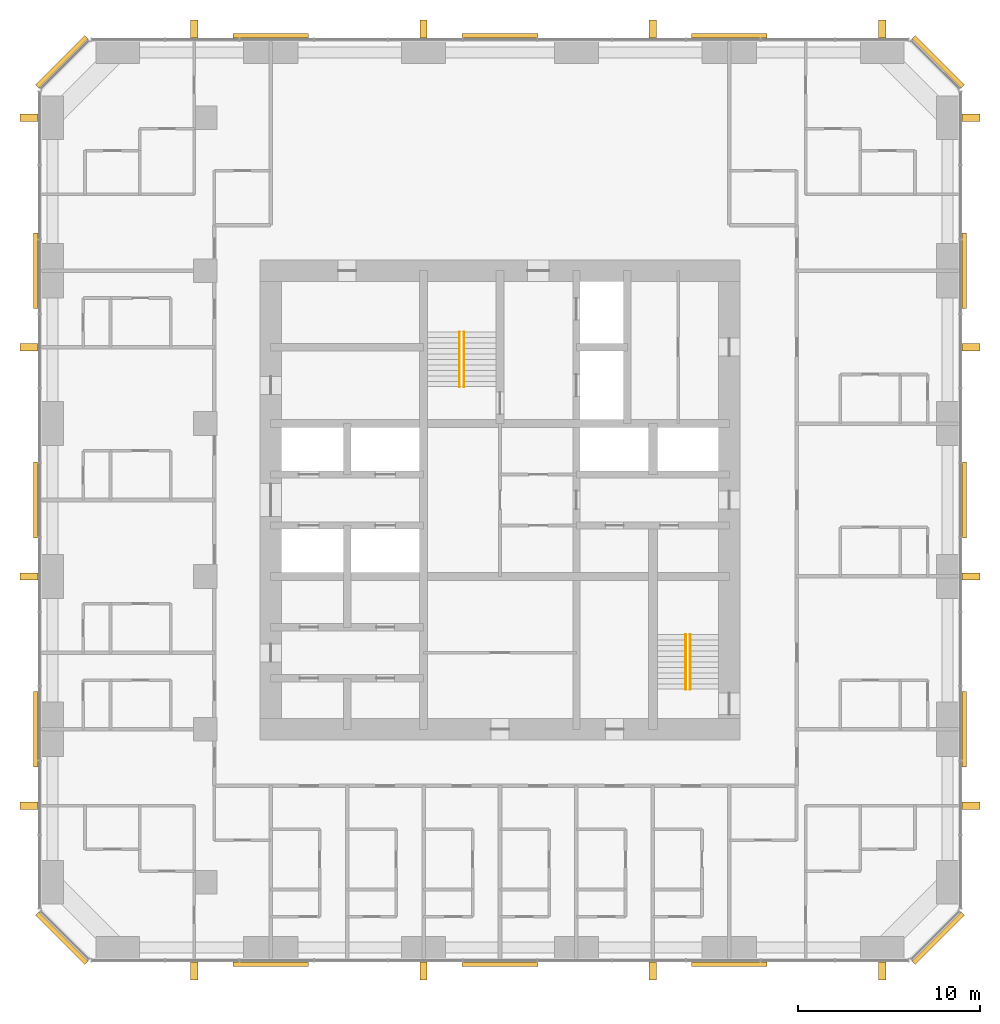
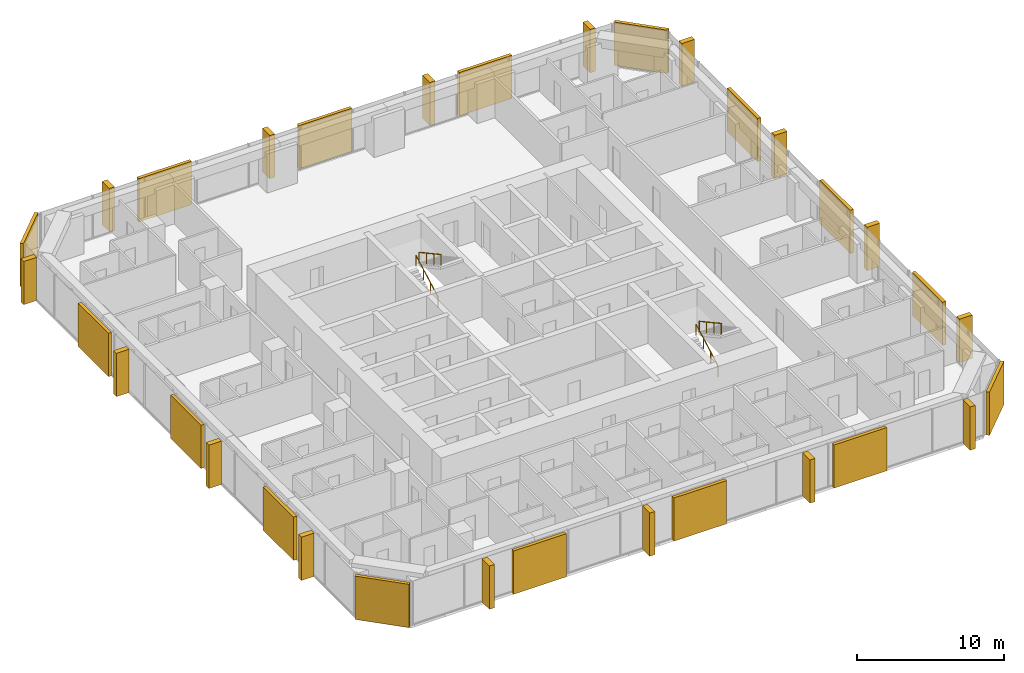
# One storey, part 14 of 14: 16 coverings, 16 shading devices, 4 railings.
"""IFC4 building model written with IfcOpenShell, lengths in metres."""

from ifc_helpers import new_model, si_unit, direction, frame, origin, origin_2d, place, context, subcontext, project, spatial, rectangle, circle, extrude, material, layer, layer_set, type_object, element, save


model = new_model("IFC4")

# Units and contexts
model_context = context("Model", 3, precision=1e-05, world=origin(), true_north=direction((0.0, 1.0)))
body_context = subcontext(model_context, "Body", "Model", "MODEL_VIEW")
ifc_project = project(units=[si_unit("LENGTHUNIT", "METRE"), si_unit("AREAUNIT", "SQUARE_METRE"), si_unit("VOLUMEUNIT", "CUBIC_METRE"), si_unit("PLANEANGLEUNIT", "RADIAN"), si_unit("MASSUNIT", "GRAM", prefix="KILO")], contexts=[model_context])

# Site, building, storey
site_placement = place(None, origin())
site = spatial("IfcSite", under=ifc_project, at=site_placement, CompositionType="ELEMENT")
building_placement = place(site_placement, origin())
building = spatial("IfcBuilding", under=site, at=building_placement, Name="Dunama Terrace Hotel", CompositionType="ELEMENT")
storey_placement = place(building_placement, frame((0.0, 0.0, 213.0)))
storey = spatial("IfcBuildingStorey", under=building, at=storey_placement, Name="L55", CompositionType="ELEMENT", Elevation=213.0)

# Railings
ifc_material_1 = material(Name="Stainless steel handrail", Category="steel")
railing_type = type_object("IfcRailingType", Name="Stair handrail 900", PredefinedType="HANDRAIL", material=ifc_material_1)
railing_1_placement = place(storey_placement, frame((27.175048828125, 35.625, 0.16357421875)))
element("IfcRailing", 1, at=railing_1_placement, inside=storey, type_object=railing_type, Name="Handrail ST1 L55", PredefinedType="HANDRAIL", context=body_context, shape_type="SweptSolid", body=[
    extrude(circle(Radius=0.02392578125, at=origin_2d()), frame((0.0, 0.0, 0.8759765625), z_axis=(0.0, 0.877881921179, 0.478877158013), x_axis=(-1.0, 0.0, 0.0)), (0.0, 0.0, 1.0), 3.417236328125),
    extrude(circle(Radius=0.02099609375, at=origin_2d()), origin(), (0.0, 0.0, 1.0), 0.851806640625),
    extrude(circle(Radius=0.02099609375, at=origin_2d()), frame((0.0, 1.0, 0.54541015625)), (0.0, 0.0, 1.0), 0.851806640625),
    extrude(circle(Radius=0.02099609375, at=origin_2d()), frame((0.0, 2.0, 1.091064453125)), (0.0, 0.0, 1.0), 0.851806640625),
    extrude(circle(Radius=0.02099609375, at=origin_2d()), frame((0.0, 3.0, 1.636474609375)), (0.0, 0.0, 1.0), 0.851806640625),
])
railing_2_placement = place(storey_placement, frame((27.425048828125, 38.625, 1.963623046875)))
element("IfcRailing", 2, at=railing_2_placement, inside=storey, type_object=railing_type, Name="Handrail ST1 L55", PredefinedType="HANDRAIL", context=body_context, shape_type="SweptSolid", body=[
    extrude(circle(Radius=0.02392578125, at=origin_2d()), frame((0.0, 0.0, 0.8759765625), z_axis=(0.0, -0.877881921179, 0.478877158013), x_axis=(1.0, 0.0, 0.0)), (0.0, 0.0, 1.0), 3.417236328125),
    extrude(circle(Radius=0.02099609375, at=origin_2d()), origin(), (0.0, 0.0, 1.0), 0.851806640625),
    extrude(circle(Radius=0.02099609375, at=origin_2d()), frame((0.0, -1.0, 0.54541015625)), (0.0, 0.0, 1.0), 0.851806640625),
    extrude(circle(Radius=0.02099609375, at=origin_2d()), frame((0.0, -2.0, 1.091064453125)), (0.0, 0.0, 1.0), 0.851806640625),
    extrude(circle(Radius=0.02099609375, at=origin_2d()), frame((0.0, -3.0, 1.636474609375)), (0.0, 0.0, 1.0), 0.851806640625),
])
railing_3_placement = place(storey_placement, frame((39.60009765625, 19.0, 0.16357421875)))
element("IfcRailing", 3, at=railing_3_placement, inside=storey, type_object=railing_type, Name="Handrail ST2 L55", PredefinedType="HANDRAIL", context=body_context, shape_type="SweptSolid", body=[
    extrude(circle(Radius=0.02392578125, at=origin_2d()), frame((0.0, 0.0, 0.8759765625), z_axis=(0.0, 0.877881921179, 0.478877158013), x_axis=(-1.0, 0.0, 0.0)), (0.0, 0.0, 1.0), 3.417236328125),
    extrude(circle(Radius=0.02099609375, at=origin_2d()), origin(), (0.0, 0.0, 1.0), 0.851806640625),
    extrude(circle(Radius=0.02099609375, at=origin_2d()), frame((0.0, 1.0, 0.54541015625)), (0.0, 0.0, 1.0), 0.851806640625),
    extrude(circle(Radius=0.02099609375, at=origin_2d()), frame((0.0, 2.0, 1.091064453125)), (0.0, 0.0, 1.0), 0.851806640625),
    extrude(circle(Radius=0.02099609375, at=origin_2d()), frame((0.0, 3.0, 1.636474609375)), (0.0, 0.0, 1.0), 0.851806640625),
])
railing_4_placement = place(storey_placement, frame((39.85009765625, 22.0, 1.963623046875)))
element("IfcRailing", 4, at=railing_4_placement, inside=storey, type_object=railing_type, Name="Handrail ST2 L55", PredefinedType="HANDRAIL", context=body_context, shape_type="SweptSolid", body=[
    extrude(circle(Radius=0.02392578125, at=origin_2d()), frame((0.0, 0.0, 0.8759765625), z_axis=(0.0, -0.877881921179, 0.478877158013), x_axis=(1.0, 0.0, 0.0)), (0.0, 0.0, 1.0), 3.417236328125),
    extrude(circle(Radius=0.02099609375, at=origin_2d()), origin(), (0.0, 0.0, 1.0), 0.851806640625),
    extrude(circle(Radius=0.02099609375, at=origin_2d()), frame((0.0, -1.0, 0.54541015625)), (0.0, 0.0, 1.0), 0.851806640625),
    extrude(circle(Radius=0.02099609375, at=origin_2d()), frame((0.0, -2.0, 1.091064453125)), (0.0, 0.0, 1.0), 0.851806640625),
    extrude(circle(Radius=0.02099609375, at=origin_2d()), frame((0.0, -3.0, 1.636474609375)), (0.0, 0.0, 1.0), 0.851806640625),
])

# Coverings
ifc_material_2 = material(Name="Warm reconstituted stone panel", Category="masonry")
ifc_layer_1 = layer(ifc_material_2, 0.25)
ifc_layer_set_1 = layer_set([ifc_layer_1], Name="Stone diagonal panel")
covering_type = type_object("IfcCoveringType", Name="Stone diagonal panel", PredefinedType="CLADDING", material=ifc_layer_set_1)
for number, where, z_axis, x_axis, name in (
    (5, (16.800048828125, 3.876953125, 0.001953125), (0.0, 0.0, 1.0), (1.0, 0.0, 0.0), "Stone diagonal panel L55"),
    (6, (29.39990234375, 3.876953125, 0.001953125), (0.0, 0.0, 1.0), (1.0, 0.0, 0.0), "Stone diagonal panel L55"),
    (7, (42.0, 3.876953125, 0.001953125), (0.0, 0.0, 1.0), (1.0, 0.0, 0.0), "Stone diagonal panel L55"),
):
    element("IfcCovering", number, at=place(storey_placement, frame(where, z_axis=z_axis, x_axis=x_axis)), inside=storey, type_object=covering_type, Name=name, PredefinedType="CLADDING", context=body_context, shape_type="SweptSolid", body=[
        extrude(rectangle(XDim=4.14990234375, YDim=0.25, at=origin_2d()), origin(), (0.0, 0.0, 1.0), 3.595947265625),
    ])
covering_1_placement = place(storey_placement, frame((53.47900390625, 5.321044921875, 0.001953125), z_axis=(0.0, 0.0, 1.0), x_axis=(0.707106781187, 0.707106781187, 0.0)))
element("IfcCovering", 8, at=covering_1_placement, inside=storey, type_object=covering_type, Name="Stone diagonal panel L55", PredefinedType="CLADDING", context=body_context, shape_type="SweptSolid", body=[
    extrude(rectangle(XDim=3.808349609375, YDim=0.25, at=origin_2d()), origin(), (0.0, 0.0, 1.0), 3.595947265625),
])
for number, where, z_axis, x_axis, name in (
    (9, (54.923095703125, 16.800048828125, 0.001953125), (0.0, 0.0, 1.0), (0.0, 1.0, 0.0), "Stone diagonal panel L55"),
    (10, (54.923095703125, 29.39990234375, 0.001953125), (0.0, 0.0, 1.0), (0.0, 1.0, 0.0), "Stone diagonal panel L55"),
    (11, (54.923095703125, 42.0, 0.001953125), (0.0, 0.0, 1.0), (0.0, 1.0, 0.0), "Stone diagonal panel L55"),
):
    element("IfcCovering", number, at=place(storey_placement, frame(where, z_axis=z_axis, x_axis=x_axis)), inside=storey, type_object=covering_type, Name=name, PredefinedType="CLADDING", context=body_context, shape_type="SweptSolid", body=[
        extrude(rectangle(XDim=4.14990234375, YDim=0.25, at=origin_2d()), origin(), (0.0, 0.0, 1.0), 3.595947265625),
    ])
covering_2_placement = place(storey_placement, frame((53.47900390625, 53.47900390625, 0.001953125), z_axis=(0.0, 0.0, 1.0), x_axis=(-0.707106781187, 0.707106781187, 0.0)))
element("IfcCovering", 12, at=covering_2_placement, inside=storey, type_object=covering_type, Name="Stone diagonal panel L55", PredefinedType="CLADDING", context=body_context, shape_type="SweptSolid", body=[
    extrude(rectangle(XDim=3.808349609375, YDim=0.25, at=origin_2d()), origin(), (0.0, 0.0, 1.0), 3.595947265625),
])
for number, where, z_axis, x_axis, name in (
    (13, (42.0, 54.923095703125, 0.001953125), (0.0, 0.0, 1.0), (-1.0, 0.0, 0.0), "Stone diagonal panel L55"),
    (14, (29.39990234375, 54.923095703125, 0.001953125), (0.0, 0.0, 1.0), (-1.0, 0.0, 0.0), "Stone diagonal panel L55"),
    (15, (16.800048828125, 54.923095703125, 0.001953125), (0.0, 0.0, 1.0), (-1.0, 0.0, 0.0), "Stone diagonal panel L55"),
):
    element("IfcCovering", number, at=place(storey_placement, frame(where, z_axis=z_axis, x_axis=x_axis)), inside=storey, type_object=covering_type, Name=name, PredefinedType="CLADDING", context=body_context, shape_type="SweptSolid", body=[
        extrude(rectangle(XDim=4.14990234375, YDim=0.25, at=origin_2d()), origin(), (0.0, 0.0, 1.0), 3.595947265625),
    ])
covering_3_placement = place(storey_placement, frame((5.321044921875, 53.47900390625, 0.001953125), z_axis=(0.0, 0.0, 1.0), x_axis=(-0.707106781187, -0.707106781187, 0.0)))
element("IfcCovering", 16, at=covering_3_placement, inside=storey, type_object=covering_type, Name="Stone diagonal panel L55", PredefinedType="CLADDING", context=body_context, shape_type="SweptSolid", body=[
    extrude(rectangle(XDim=3.808349609375, YDim=0.25, at=origin_2d()), origin(), (0.0, 0.0, 1.0), 3.595947265625),
])
for number, where, z_axis, x_axis, name in (
    (17, (3.876953125, 42.0, 0.001953125), (0.0, 0.0, 1.0), (0.0, -1.0, 0.0), "Stone diagonal panel L55"),
    (18, (3.876953125, 29.39990234375, 0.001953125), (0.0, 0.0, 1.0), (0.0, -1.0, 0.0), "Stone diagonal panel L55"),
    (19, (3.876953125, 16.800048828125, 0.001953125), (0.0, 0.0, 1.0), (0.0, -1.0, 0.0), "Stone diagonal panel L55"),
):
    element("IfcCovering", number, at=place(storey_placement, frame(where, z_axis=z_axis, x_axis=x_axis)), inside=storey, type_object=covering_type, Name=name, PredefinedType="CLADDING", context=body_context, shape_type="SweptSolid", body=[
        extrude(rectangle(XDim=4.14990234375, YDim=0.25, at=origin_2d()), origin(), (0.0, 0.0, 1.0), 3.595947265625),
    ])
covering_4_placement = place(storey_placement, frame((5.321044921875, 5.321044921875, 0.001953125), z_axis=(0.0, 0.0, 1.0), x_axis=(0.707106781187, -0.707106781187, 0.0)))
element("IfcCovering", 20, at=covering_4_placement, inside=storey, type_object=covering_type, Name="Stone diagonal panel L55", PredefinedType="CLADDING", context=body_context, shape_type="SweptSolid", body=[
    extrude(rectangle(XDim=3.808349609375, YDim=0.25, at=origin_2d()), origin(), (0.0, 0.0, 1.0), 3.595947265625),
])

# Shading devices
ifc_material_3 = material(Name="Warm reconstituted stone fin", Category="masonry")
ifc_layer_2 = layer(ifc_material_3, 0.39990234375)
ifc_layer_set_2 = layer_set([ifc_layer_2], Name="Warm stone fin 400x1000")
shading_device_type = type_object("IfcShadingDeviceType", Name="Warm stone fin 400x1000", PredefinedType="USERDEFINED", material=ifc_layer_set_2)
for number, where, z_axis, x_axis, name in (
    (21, (12.60009765625, 3.52197265625, 0.0), (0.0, 0.0, 1.0), (1.0, 0.0, 0.0), "Stone fin"),
    (22, (25.199951171875, 3.52197265625, 0.0), (0.0, 0.0, 1.0), (1.0, 0.0, 0.0), "Stone fin"),
    (23, (37.800048828125, 3.52197265625, 0.0), (0.0, 0.0, 1.0), (1.0, 0.0, 0.0), "Stone fin"),
    (24, (50.39990234375, 3.52197265625, 0.0), (0.0, 0.0, 1.0), (1.0, 0.0, 0.0), "Stone fin"),
    (25, (55.278076171875, 12.60009765625, 0.0), (0.0, 0.0, 1.0), (0.0, 1.0, 0.0), "Stone fin"),
    (26, (55.278076171875, 25.199951171875, 0.0), (0.0, 0.0, 1.0), (0.0, 1.0, 0.0), "Stone fin"),
    (27, (55.278076171875, 37.800048828125, 0.0), (0.0, 0.0, 1.0), (0.0, 1.0, 0.0), "Stone fin"),
    (28, (55.278076171875, 50.39990234375, 0.0), (0.0, 0.0, 1.0), (0.0, 1.0, 0.0), "Stone fin"),
    (29, (50.39990234375, 55.278076171875, 0.0), (0.0, 0.0, 1.0), (-1.0, 0.0, 0.0), "Stone fin"),
    (30, (37.800048828125, 55.278076171875, 0.0), (0.0, 0.0, 1.0), (-1.0, 0.0, 0.0), "Stone fin"),
    (31, (25.199951171875, 55.278076171875, 0.0), (0.0, 0.0, 1.0), (-1.0, 0.0, 0.0), "Stone fin"),
    (32, (12.60009765625, 55.278076171875, 0.0), (0.0, 0.0, 1.0), (-1.0, 0.0, 0.0), "Stone fin"),
    (33, (3.52197265625, 50.39990234375, 0.0), (0.0, 0.0, 1.0), (0.0, -1.0, 0.0), "Stone fin"),
    (34, (3.52197265625, 37.800048828125, 0.0), (0.0, 0.0, 1.0), (0.0, -1.0, 0.0), "Stone fin"),
    (35, (3.52197265625, 25.199951171875, 0.0), (0.0, 0.0, 1.0), (0.0, -1.0, 0.0), "Stone fin"),
    (36, (3.52197265625, 12.60009765625, 0.0), (0.0, 0.0, 1.0), (0.0, -1.0, 0.0), "Stone fin"),
):
    element("IfcShadingDevice", number, at=place(storey_placement, frame(where, z_axis=z_axis, x_axis=x_axis)), inside=storey, type_object=shading_device_type, Name=name, ObjectType="FIN", PredefinedType="USERDEFINED", context=body_context, shape_type="SweptSolid", body=[
        extrude(rectangle(XDim=0.39990234375, YDim=1.0, at=origin_2d()), origin(), (0.0, 0.0, 1.0), 3.60009765625),
    ])

save(model, "model.ifc")
